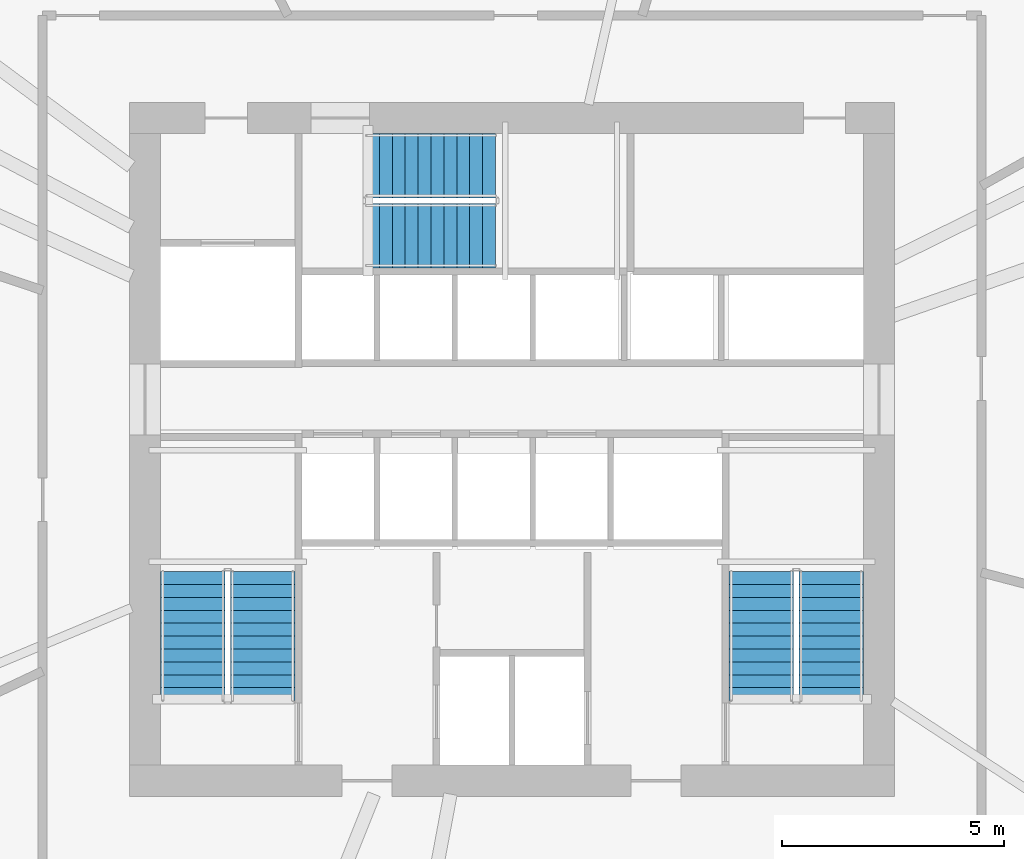
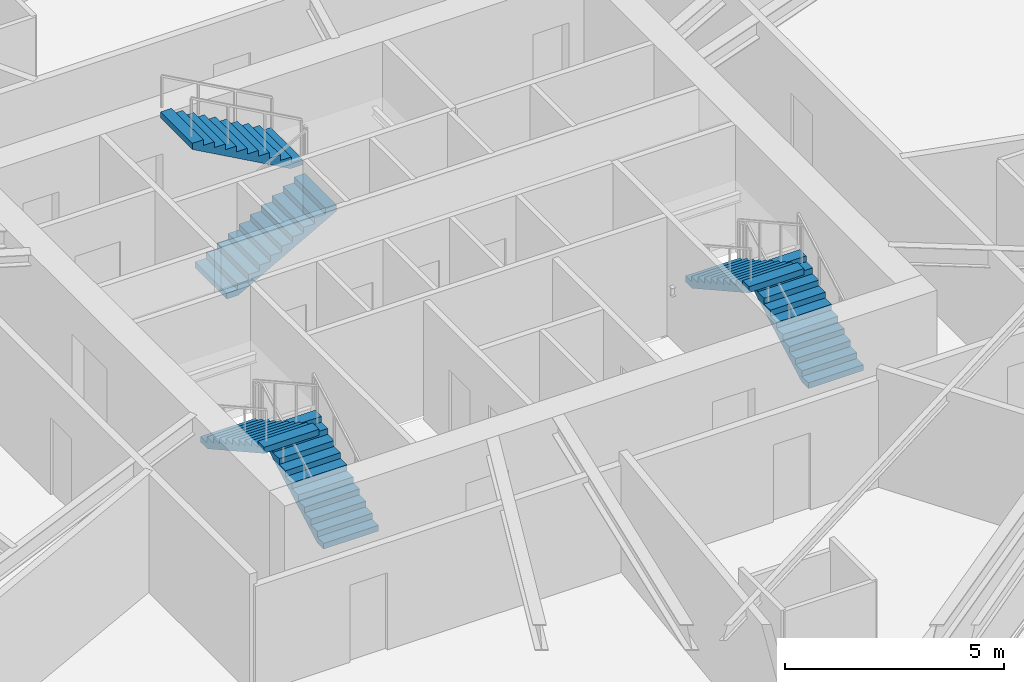
# One storey, part 15 of 18: 6 stair flights, 3 elements without a shape of their own.
"""IFC4 building model written with IfcOpenShell, lengths in metres."""

from ifc_helpers import new_model, si_unit, direction, frame, origin, place, context, subcontext, project, spatial, polyline, outline, extrude, material, type_object, element, aggregate, save


model = new_model("IFC4")

# Units and contexts
model_context = context("Model", 3, precision=1e-05, world=origin(), true_north=direction((0.0, 1.0)))
body_context = subcontext(model_context, "Body", "Model", "MODEL_VIEW")
ifc_project = project(units=[si_unit("LENGTHUNIT", "METRE"), si_unit("AREAUNIT", "SQUARE_METRE"), si_unit("VOLUMEUNIT", "CUBIC_METRE"), si_unit("PLANEANGLEUNIT", "RADIAN"), si_unit("MASSUNIT", "GRAM", prefix="KILO")], contexts=[model_context])

# Site, building, storey
site_placement = place(None, origin())
site = spatial("IfcSite", under=ifc_project, at=site_placement, CompositionType="ELEMENT")
building_placement = place(site_placement, origin())
building = spatial("IfcBuilding", under=site, at=building_placement, Name="Olszyna Solenne Hotel", CompositionType="ELEMENT")
storey_placement = place(building_placement, frame((0.0, 0.0, 123.449951171875)))
storey = spatial("IfcBuildingStorey", under=building, at=storey_placement, Name="L32", CompositionType="ELEMENT", Elevation=123.449951171875)

# Stair, stair flights
ifc_material = material(Name="Concrete C40/50", Category="concrete")
stair_type = type_object("IfcStairType", Name="STR-C1", PredefinedType="TWO_QUARTER_WINDING_STAIR", material=ifc_material)
stair_1_placement = place(storey_placement, origin())
stair_1 = element("IfcStair", 1, at=stair_1_placement, inside=storey, type_object=stair_type, Name="L32 ST1", PredefinedType="TWO_QUARTER_WINDING_STAIR")
stair_flight_type = type_object("IfcStairFlightType", Name="FLT-C1", PredefinedType="STRAIGHT", material=ifc_material)
stair_flight_1_placement = place(storey_placement, frame((32.39501953125, 20.949951171875, 0.0), z_axis=(0.0, 0.0, 1.0), x_axis=(0.0, 1.0, 0.0)))
stair_flight_1 = element("IfcStairFlight", 2, at=stair_flight_1_placement, type_object=stair_flight_type, Name="ST1 flight 1", NumberOfRisers=11, NumberOfTreads=10, PredefinedType="STRAIGHT", RiserHeight=0.161363636, TreadLength=0.29, context=body_context, shape_type="SweptSolid", body=[
    extrude(outline(polyline([(0.0, 0.0), (0.0, 0.161376953125), (0.2900390625, 0.161376953125), (0.2900390625, 0.32275390625), (0.580078125, 0.32275390625), (0.580078125, 0.484130859375), (0.8701171875, 0.484130859375), (0.8701171875, 0.6455078125), (1.159912109375, 0.6455078125), (1.159912109375, 0.806884765625), (1.449951171875, 0.806884765625), (1.449951171875, 0.96826171875), (1.739990234375, 0.96826171875), (1.739990234375, 1.129638671875), (2.030029296875, 1.129638671875), (2.030029296875, 1.291015625), (2.320068359375, 1.291015625), (2.320068359375, 1.452392578125), (2.610107421875, 1.452392578125), (2.610107421875, 1.613525390625), (2.89990234375, 1.613525390625), (2.89990234375, 1.77490234375), (2.89990234375, 1.442138671875), (0.308349609375, 0.0), (0.0, 0.0)])), frame((0.0, 0.72509765625, 0.0), z_axis=(0.0, -1.0, 0.0), x_axis=(1.0, 0.0, 0.0)), (0.0, 0.0, 1.0), 1.449951171875),
])
stair_flight_2_placement = place(storey_placement, frame((30.824951171875, 23.85009765625, 1.775146484375), z_axis=(0.0, 0.0, 1.0), x_axis=(0.0, -1.0, 0.0)))
stair_flight_2 = element("IfcStairFlight", 3, at=stair_flight_2_placement, type_object=stair_flight_type, Name="ST1 flight 2", NumberOfRisers=11, NumberOfTreads=10, PredefinedType="STRAIGHT", RiserHeight=0.161363636, TreadLength=0.29, context=body_context, shape_type="SweptSolid", body=[
    extrude(outline(polyline([(0.0, 0.0), (0.0, 0.161376953125), (0.2900390625, 0.161376953125), (0.2900390625, 0.32275390625), (0.580078125, 0.32275390625), (0.580078125, 0.484130859375), (0.8701171875, 0.484130859375), (0.8701171875, 0.6455078125), (1.159912109375, 0.6455078125), (1.159912109375, 0.806884765625), (1.449951171875, 0.806884765625), (1.449951171875, 0.96826171875), (1.739990234375, 0.96826171875), (1.739990234375, 1.129638671875), (2.030029296875, 1.129638671875), (2.030029296875, 1.291015625), (2.320068359375, 1.291015625), (2.320068359375, 1.452392578125), (2.610107421875, 1.452392578125), (2.610107421875, 1.613525390625), (2.89990234375, 1.613525390625), (2.89990234375, 1.77490234375), (2.89990234375, 1.442138671875), (0.308349609375, 0.0), (0.0, 0.0)])), frame((0.0, 0.72509765625, 0.0), z_axis=(0.0, -1.0, 0.0), x_axis=(1.0, 0.0, 0.0)), (0.0, 0.0, 1.0), 1.449951171875),
])
aggregate(stair_1, [stair_flight_1, stair_flight_2])

stair_2_placement = place(storey_placement, origin())
stair_2 = element("IfcStair", 4, at=stair_2_placement, inside=storey, type_object=stair_type, Name="L32 ST2", PredefinedType="TWO_QUARTER_WINDING_STAIR")
stair_flight_3_placement = place(storey_placement, frame((45.175048828125, 20.949951171875, 0.0), z_axis=(0.0, 0.0, 1.0), x_axis=(0.0, 1.0, 0.0)))
stair_flight_3 = element("IfcStairFlight", 5, at=stair_flight_3_placement, type_object=stair_flight_type, Name="ST2 flight 1", NumberOfRisers=11, NumberOfTreads=10, PredefinedType="STRAIGHT", RiserHeight=0.161363636, TreadLength=0.29, context=body_context, shape_type="SweptSolid", body=[
    extrude(outline(polyline([(0.0, 0.0), (0.0, 0.161376953125), (0.2900390625, 0.161376953125), (0.2900390625, 0.32275390625), (0.580078125, 0.32275390625), (0.580078125, 0.484130859375), (0.8701171875, 0.484130859375), (0.8701171875, 0.6455078125), (1.159912109375, 0.6455078125), (1.159912109375, 0.806884765625), (1.449951171875, 0.806884765625), (1.449951171875, 0.96826171875), (1.739990234375, 0.96826171875), (1.739990234375, 1.129638671875), (2.030029296875, 1.129638671875), (2.030029296875, 1.291015625), (2.320068359375, 1.291015625), (2.320068359375, 1.452392578125), (2.610107421875, 1.452392578125), (2.610107421875, 1.613525390625), (2.89990234375, 1.613525390625), (2.89990234375, 1.77490234375), (2.89990234375, 1.442138671875), (0.308349609375, 0.0), (0.0, 0.0)])), frame((0.0, 0.72509765625, 0.0), z_axis=(0.0, -1.0, 0.0), x_axis=(1.0, 0.0, 0.0)), (0.0, 0.0, 1.0), 1.449951171875),
])
stair_flight_4_placement = place(storey_placement, frame((43.60498046875, 23.85009765625, 1.775146484375), z_axis=(0.0, 0.0, 1.0), x_axis=(0.0, -1.0, 0.0)))
stair_flight_4 = element("IfcStairFlight", 6, at=stair_flight_4_placement, type_object=stair_flight_type, Name="ST2 flight 2", NumberOfRisers=11, NumberOfTreads=10, PredefinedType="STRAIGHT", RiserHeight=0.161363636, TreadLength=0.29, context=body_context, shape_type="SweptSolid", body=[
    extrude(outline(polyline([(0.0, 0.0), (0.0, 0.161376953125), (0.2900390625, 0.161376953125), (0.2900390625, 0.32275390625), (0.580078125, 0.32275390625), (0.580078125, 0.484130859375), (0.8701171875, 0.484130859375), (0.8701171875, 0.6455078125), (1.159912109375, 0.6455078125), (1.159912109375, 0.806884765625), (1.449951171875, 0.806884765625), (1.449951171875, 0.96826171875), (1.739990234375, 0.96826171875), (1.739990234375, 1.129638671875), (2.030029296875, 1.129638671875), (2.030029296875, 1.291015625), (2.320068359375, 1.291015625), (2.320068359375, 1.452392578125), (2.610107421875, 1.452392578125), (2.610107421875, 1.613525390625), (2.89990234375, 1.613525390625), (2.89990234375, 1.77490234375), (2.89990234375, 1.442138671875), (0.308349609375, 0.0), (0.0, 0.0)])), frame((0.0, 0.72509765625, 0.0), z_axis=(0.0, -1.0, 0.0), x_axis=(1.0, 0.0, 0.0)), (0.0, 0.0, 1.0), 1.449951171875),
])
aggregate(stair_2, [stair_flight_3, stair_flight_4])

stair_3_placement = place(storey_placement, origin())
stair_3 = element("IfcStair", 7, at=stair_3_placement, inside=storey, type_object=stair_type, Name="L32 ST3", PredefinedType="TWO_QUARTER_WINDING_STAIR")
stair_flight_5_placement = place(storey_placement, frame((34.72998046875, 31.405029296875, 0.0), z_axis=(0.0, 0.0, 1.0), x_axis=(1.0, 0.0, 0.0)))
stair_flight_5 = element("IfcStairFlight", 8, at=stair_flight_5_placement, type_object=stair_flight_type, Name="ST3 flight 1", NumberOfRisers=11, NumberOfTreads=10, PredefinedType="STRAIGHT", RiserHeight=0.161363636, TreadLength=0.29, context=body_context, shape_type="SweptSolid", body=[
    extrude(outline(polyline([(0.0, 0.0), (0.0, 0.161376953125), (0.2900390625, 0.161376953125), (0.2900390625, 0.32275390625), (0.580078125, 0.32275390625), (0.580078125, 0.484130859375), (0.8701171875, 0.484130859375), (0.8701171875, 0.6455078125), (1.159912109375, 0.6455078125), (1.159912109375, 0.806884765625), (1.449951171875, 0.806884765625), (1.449951171875, 0.96826171875), (1.739990234375, 0.96826171875), (1.739990234375, 1.129638671875), (2.030029296875, 1.129638671875), (2.030029296875, 1.291015625), (2.320068359375, 1.291015625), (2.320068359375, 1.452392578125), (2.610107421875, 1.452392578125), (2.610107421875, 1.613525390625), (2.89990234375, 1.613525390625), (2.89990234375, 1.77490234375), (2.89990234375, 1.442138671875), (0.308349609375, 0.0), (0.0, 0.0)])), frame((0.0, 0.72509765625, 0.0), z_axis=(0.0, -1.0, 0.0), x_axis=(1.0, 0.0, 0.0)), (0.0, 0.0, 1.0), 1.449951171875),
])
stair_flight_6_placement = place(storey_placement, frame((37.6298828125, 32.97509765625, 1.775146484375), z_axis=(0.0, 0.0, 1.0), x_axis=(-1.0, 0.0, 0.0)))
stair_flight_6 = element("IfcStairFlight", 9, at=stair_flight_6_placement, type_object=stair_flight_type, Name="ST3 flight 2", NumberOfRisers=11, NumberOfTreads=10, PredefinedType="STRAIGHT", RiserHeight=0.161363636, TreadLength=0.29, context=body_context, shape_type="SweptSolid", body=[
    extrude(outline(polyline([(0.0, 0.0), (0.0, 0.161376953125), (0.2900390625, 0.161376953125), (0.2900390625, 0.32275390625), (0.580078125, 0.32275390625), (0.580078125, 0.484130859375), (0.8701171875, 0.484130859375), (0.8701171875, 0.6455078125), (1.159912109375, 0.6455078125), (1.159912109375, 0.806884765625), (1.449951171875, 0.806884765625), (1.449951171875, 0.96826171875), (1.739990234375, 0.96826171875), (1.739990234375, 1.129638671875), (2.030029296875, 1.129638671875), (2.030029296875, 1.291015625), (2.320068359375, 1.291015625), (2.320068359375, 1.452392578125), (2.610107421875, 1.452392578125), (2.610107421875, 1.613525390625), (2.89990234375, 1.613525390625), (2.89990234375, 1.77490234375), (2.89990234375, 1.442138671875), (0.308349609375, 0.0), (0.0, 0.0)])), frame((0.0, 0.72509765625, 0.0), z_axis=(0.0, -1.0, 0.0), x_axis=(1.0, 0.0, 0.0)), (0.0, 0.0, 1.0), 1.449951171875),
])
aggregate(stair_3, [stair_flight_5, stair_flight_6])

save(model, "model.ifc")
